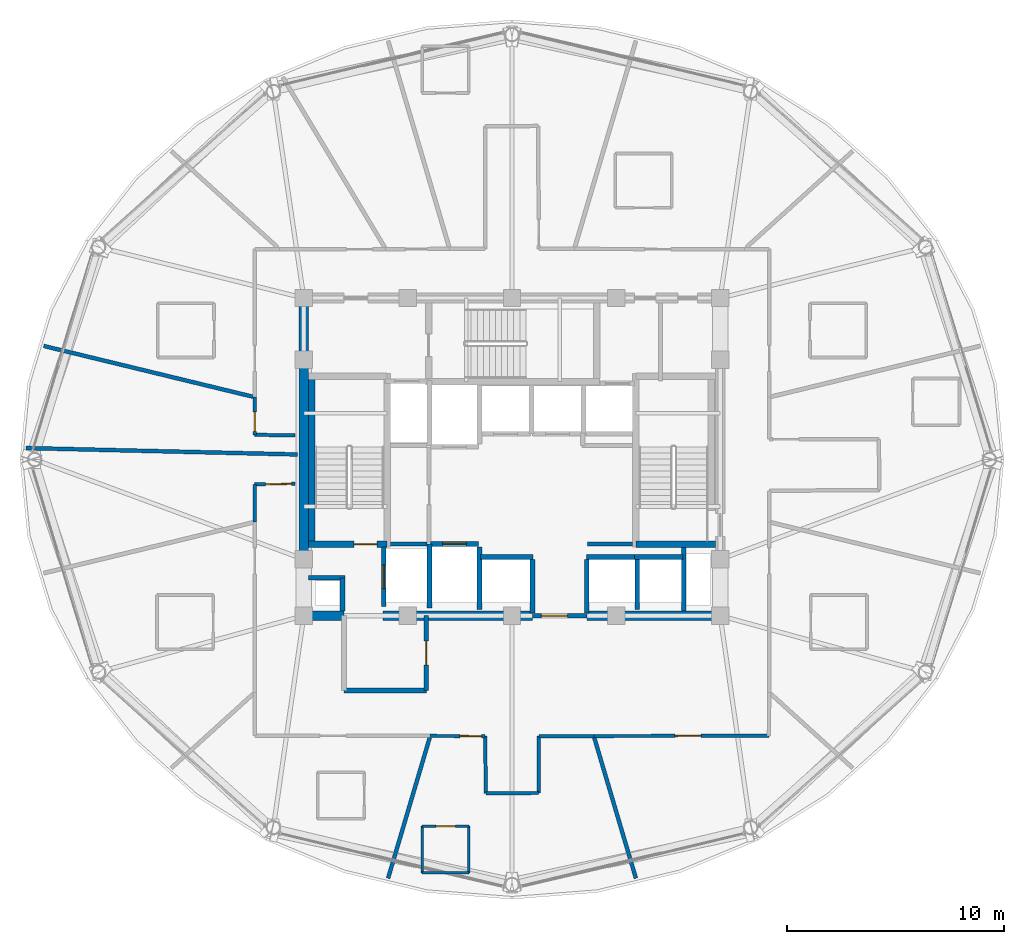
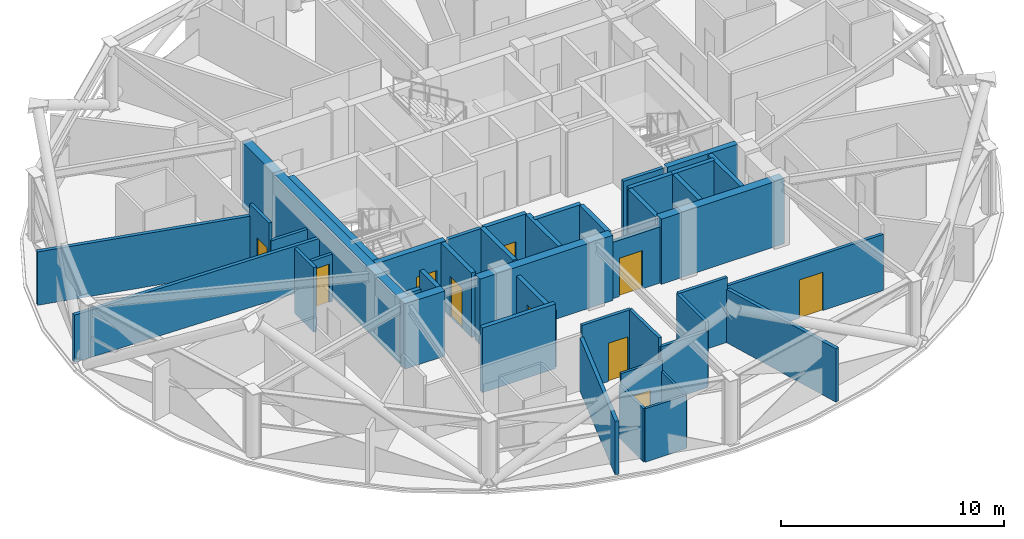
# One storey, part 22 of 29: 43 walls, 10 doors, 10 openings.
"""IFC4 building model written with IfcOpenShell, lengths in metres."""

from ifc_helpers import new_model, si_unit, direction, frame, frame_2d, origin, place, context, subcontext, project, spatial, rectangle, extrude, material, layer, layer_set, type_object, element, fill, save


model = new_model("IFC4")

# Units and contexts
model_context = context("Model", 3, precision=1e-05, world=origin(), true_north=direction((0.0, 1.0)))
body_context = subcontext(model_context, "Body", "Model", "MODEL_VIEW")
ifc_project = project(units=[si_unit("LENGTHUNIT", "METRE"), si_unit("AREAUNIT", "SQUARE_METRE"), si_unit("VOLUMEUNIT", "CUBIC_METRE"), si_unit("PLANEANGLEUNIT", "RADIAN"), si_unit("MASSUNIT", "GRAM", prefix="KILO")], contexts=[model_context])

# Site, building, storey
site_placement = place(None, origin())
site = spatial("IfcSite", under=ifc_project, at=site_placement, CompositionType="ELEMENT")
building_placement = place(site_placement, origin())
building = spatial("IfcBuilding", under=site, at=building_placement, Name="Vantalir Tower", CompositionType="ELEMENT")
storey_placement = place(building_placement, frame((0.0, 0.0, 227.39990234375)))
storey = spatial("IfcBuildingStorey", under=building, at=storey_placement, Name="L57", CompositionType="ELEMENT", Elevation=227.39990234375)

# Wall
ifc_material_1 = material(Name="Moisture-resistant en-suite partition", Category="gypsum")
ifc_layer_1 = layer(ifc_material_1, 0.125)
ifc_layer_set_1 = layer_set([ifc_layer_1], Name="Moisture-resistant en-suite partition")
wall_type_1 = type_object("IfcWallType", Name="WL-BATH-125", PredefinedType="PARTITIONING", material=ifc_layer_set_1)
wall_1_placement = place(storey_placement, frame((27.360107421875, 5.943115234375, 0.0), z_axis=(0.0, 0.0, 1.0), x_axis=(1.0, 0.0, 0.0)))
element("IfcWall", 1, at=wall_1_placement, inside=storey, type_object=wall_type_1, Name="L57 En-suite 11 South Wall", PredefinedType="PARTITIONING", context=body_context, shape_type="SweptSolid", body=[
    extrude(rectangle(XDim=2.14990234375, YDim=0.125, at=frame_2d((1.074951171875, 0.0))), origin(), (0.0, 0.0, 1.0), 2.925048828125),
])

# Wall, opening, door
wall_2_placement = place(storey_placement, frame((27.360107421875, 8.093017578125, 0.0), z_axis=(0.0, 0.0, 1.0), x_axis=(1.0, 0.0, 0.0)))
wall_2 = element("IfcWall", 2, at=wall_2_placement, inside=storey, type_object=wall_type_1, Name="L57 En-suite 11 North Wall", PredefinedType="PARTITIONING", context=body_context, shape_type="SweptSolid", body=[
    extrude(rectangle(XDim=2.14990234375, YDim=0.125, at=frame_2d((1.074951171875, 0.0))), origin(), (0.0, 0.0, 1.0), 3.550048828125),
])
opening_1_placement = place(wall_2_placement, frame((0.625, 0.0, 0.0)))
opening_1 = element("IfcOpeningElement", 3, at=opening_1_placement, cuts=wall_2, Name="Opening D-WC", PredefinedType="OPENING", context=body_context, shape_type="SweptSolid", body=[
    extrude(rectangle(XDim=0.89990234375, YDim=2.10009765625, at=frame_2d((0.449951171875, 1.050048828125))), frame((0.0, 0.072509765625, 0.0), z_axis=(0.0, -1.0, 0.0), x_axis=(1.0, 0.0, 0.0)), (0.0, 0.0, 1.0), 0.14501953125),
])
ifc_material_2 = material(Name="Moisture-resistant hardwood door", Category="wood")
door_type_1 = type_object("IfcDoorType", Name="DR-ENSUITE-900", OperationType="NOTDEFINED", PredefinedType="DOOR", material=ifc_material_2)
door_1_placement = place(opening_1_placement, frame((0.89990234375, 0.0, 0.0), z_axis=(0.0, 0.0, 1.0), x_axis=(-1.0, 0.0, 0.0)))
door_1 = element("IfcDoor", 4, at=door_1_placement, inside=storey, type_object=door_type_1, Name="L57 En-suite 11 Door", OperationType="SINGLE_SWING_LEFT", OverallHeight=2.10009765625, OverallWidth=0.89990234375, PredefinedType="DOOR", context=body_context, shape_type="SweptSolid", body=[
    extrude(rectangle(XDim=0.89990234375, YDim=2.10009765625, at=frame_2d((0.449951171875, 1.050048828125))), frame((0.0, 0.02490234375, 0.0), z_axis=(0.0, -1.0, 0.0), x_axis=(1.0, 0.0, 0.0)), (0.0, 0.0, 1.0), 0.050048828125),
])
fill(opening_1, door_1)

# Walls
for number, where, z_axis, x_axis, name in (
    (5, (27.360107421875, 5.943115234375, 0.0), (0.0, 0.0, 1.0), (0.0, 1.0, 0.0), "L57 En-suite 11 West Wall"),
    (6, (29.510009765625, 5.943115234375, 0.0), (0.0, 0.0, 1.0), (0.0, 1.0, 0.0), "L57 En-suite 11 East Wall"),
):
    element("IfcWall", number, at=place(storey_placement, frame(where, z_axis=z_axis, x_axis=x_axis)), inside=storey, type_object=wall_type_1, Name=name, PredefinedType="PARTITIONING", context=body_context, shape_type="SweptSolid", body=[
        extrude(rectangle(XDim=2.14990234375, YDim=0.125, at=frame_2d((1.074951171875, 0.0))), origin(), (0.0, 0.0, 1.0), 2.925048828125),
    ])
ifc_material_3 = material(Name="Concrete C50/60", Category="concrete")
ifc_layer_2 = layer(ifc_material_3, 0.449951171875)
ifc_layer_set_2 = layer_set([ifc_layer_2], Name="Concrete C50/60")
wall_type_2 = type_object("IfcWallType", Name="WL-CORE-450", PredefinedType="SHEAR", material=ifc_layer_set_2)
wall_3_placement = place(storey_placement, frame((21.675048828125, 17.800048828125, 0.0), z_axis=(0.0, 0.0, 1.0), x_axis=(1.0, 0.0, 0.0)))
element("IfcWall", 7, at=wall_3_placement, inside=storey, type_object=wall_type_2, Name="L57 Core Shear Wall South-West", PredefinedType="SHEAR", context=body_context, shape_type="SweptSolid", body=[
    extrude(rectangle(XDim=2.074951171875, YDim=0.449951171875, at=frame_2d((1.03759765625, 0.0))), origin(), (0.0, 0.0, 1.0), 3.570068359375),
])
wall_4_placement = place(storey_placement, frame((25.550048828125, 17.800048828125, 0.0), z_axis=(0.0, 0.0, 1.0), x_axis=(1.0, 0.0, 0.0)))
element("IfcWall", 8, at=wall_4_placement, inside=storey, type_object=wall_type_2, Name="L57 Core Shear Wall South-Mid", PredefinedType="SHEAR", context=body_context, shape_type="SweptSolid", body=[
    extrude(rectangle(XDim=6.89990234375, YDim=0.449951171875, at=frame_2d((3.449951171875, 0.0))), origin(), (0.0, 0.0, 1.0), 3.570068359375),
])
wall_5_placement = place(storey_placement, frame((34.949951171875, 17.800048828125, 0.0), z_axis=(0.0, 0.0, 1.0), x_axis=(1.0, 0.0, 0.0)))
element("IfcWall", 9, at=wall_5_placement, inside=storey, type_object=wall_type_2, Name="L57 Core Shear Wall South-East", PredefinedType="SHEAR", context=body_context, shape_type="SweptSolid", body=[
    extrude(rectangle(XDim=6.375, YDim=0.449951171875, at=frame_2d((3.1875, 0.0))), origin(), (0.0, 0.0, 1.0), 3.570068359375),
])
wall_6_placement = place(storey_placement, frame((21.89990234375, 18.02490234375, 0.0), z_axis=(0.0, 0.0, 1.0), x_axis=(0.0, 1.0, 0.0)))
element("IfcWall", 10, at=wall_6_placement, inside=storey, type_object=wall_type_2, Name="L57 Core Shear Wall West", PredefinedType="SHEAR", context=body_context, shape_type="SweptSolid", body=[
    extrude(rectangle(XDim=14.2001953125, YDim=0.449951171875, at=frame_2d((7.10009765625, 0.0))), origin(), (0.0, 0.0, 1.0), 3.570068359375),
])
ifc_material_4 = material(Name="Fire-rated hotel corridor acoustic partition", Category="gypsum")
ifc_layer_3 = layer(ifc_material_4, 0.159912109375)
ifc_layer_set_3 = layer_set([ifc_layer_3], Name="Fire-rated hotel corridor acoustic partition")
wall_type_3 = type_object("IfcWallType", Name="WL-CORR-160", PredefinedType="PARTITIONING", material=ifc_layer_set_3)
wall_7_placement = place(storey_placement, frame((21.4951171875, 26.116943359375, 0.0), z_axis=(0.0, 0.0, 1.0), x_axis=(-0.999908537082, 0.013524698532, 0.0)))
element("IfcWall", 11, at=wall_7_placement, inside=storey, type_object=wall_type_3, Name="L57 Corridor Partition 01", PredefinedType="PARTITIONING", context=body_context, shape_type="SweptSolid", body=[
    extrude(rectangle(XDim=1.859375, YDim=0.159912109375, at=frame_2d((0.9296875, 0.0))), origin(), (0.0, 0.0, 1.0), 2.59521484375),
])

# Wall, opening, door
wall_8_placement = place(storey_placement, frame((19.635986328125, 26.14208984375, 0.0), z_axis=(0.0, 0.0, 1.0), x_axis=(0.000562587815, 0.999999841747, 0.0)))
wall_8 = element("IfcWall", 12, at=wall_8_placement, inside=storey, type_object=wall_type_3, Name="L57 Corridor Partition 02", PredefinedType="PARTITIONING", context=body_context, shape_type="SweptSolid", body=[
    extrude(rectangle(XDim=1.73583984375, YDim=0.159912109375, at=frame_2d((0.867919921875, 0.0))), origin(), (0.0, 0.0, 1.0), 3.550048828125),
])
opening_2_placement = place(wall_8_placement, frame((0.159912109375, 0.0, 0.0)))
opening_2 = element("IfcOpeningElement", 13, at=opening_2_placement, cuts=wall_8, Name="Opening D-WC", PredefinedType="OPENING", context=body_context, shape_type="SweptSolid", body=[
    extrude(rectangle(XDim=0.89990234375, YDim=2.10009765625, at=frame_2d((0.449951171875, 1.050048828125))), frame((0.0, 0.08984375, 0.0), z_axis=(0.0, -1.0, 0.0), x_axis=(1.0, 0.0, 0.0)), (0.0, 0.0, 1.0), 0.179931640625),
])
door_2_placement = place(opening_2_placement, origin())
door_2 = element("IfcDoor", 14, at=door_2_placement, inside=storey, type_object=door_type_1, Name="L57 Executive Business Study 07 Door", OperationType="SINGLE_SWING_LEFT", OverallHeight=2.10009765625, OverallWidth=0.89990234375, PredefinedType="DOOR", context=body_context, shape_type="SweptSolid", body=[
    extrude(rectangle(XDim=0.89990234375, YDim=2.10009765625, at=frame_2d((0.449951171875, 1.050048828125))), frame((0.0, 0.02490234375, 0.0), z_axis=(0.0, -1.0, 0.0), x_axis=(1.0, 0.0, 0.0)), (0.0, 0.0, 1.0), 0.050048828125),
])
fill(opening_2, door_2)

wall_9_placement = place(storey_placement, frame((43.35009765625, 12.259033203125, 0.0), z_axis=(0.0, 0.0, 1.0), x_axis=(-0.999999615917, -0.00087645034, 0.0)))
wall_9 = element("IfcWall", 15, at=wall_9_placement, inside=storey, type_object=wall_type_3, Name="L57 Corridor Partition 22", PredefinedType="PARTITIONING", context=body_context, shape_type="SweptSolid", body=[
    extrude(rectangle(XDim=8.078125, YDim=0.159912109375, at=frame_2d((4.0390625, 0.0))), origin(), (0.0, 0.0, 1.0), 3.0810546875),
])
opening_3_placement = place(wall_9_placement, frame((3.14111328125, 0.0, 0.0)))
opening_3 = element("IfcOpeningElement", 16, at=opening_3_placement, cuts=wall_9, Name="Opening D-STE", PredefinedType="OPENING", context=body_context, shape_type="SweptSolid", body=[
    extrude(rectangle(XDim=1.199951171875, YDim=2.10009765625, at=frame_2d((0.60009765625, 1.050048828125))), frame((0.0, 0.08984375, 0.0), z_axis=(0.0, -1.0, 0.0), x_axis=(1.0, 0.0, 0.0)), (0.0, 0.0, 1.0), 0.179931640625),
])
ifc_material_5 = material(Name="Solid-core teak veneer suite entrance door", Category="wood")
door_type_2 = type_object("IfcDoorType", Name="DR-SUITE-ENTRY-1200", OperationType="NOTDEFINED", PredefinedType="DOOR", material=ifc_material_5)
door_3_placement = place(opening_3_placement, origin())
door_3 = element("IfcDoor", 17, at=door_3_placement, inside=storey, type_object=door_type_2, Name="L57 Club Reading Lounge 12 Door", OperationType="SINGLE_SWING_RIGHT", OverallHeight=2.10009765625, OverallWidth=1.199951171875, PredefinedType="DOOR", context=body_context, shape_type="SweptSolid", body=[
    extrude(rectangle(XDim=1.199951171875, YDim=2.10009765625, at=frame_2d((0.60009765625, 1.050048828125))), frame((0.0, 0.02490234375, 0.0), z_axis=(0.0, -1.0, 0.0), x_axis=(1.0, 0.0, 0.0)), (0.0, 0.0, 1.0), 0.050048828125),
])
fill(opening_3, door_3)

# Walls
wall_10_placement = place(storey_placement, frame((35.27197265625, 12.251953125, 0.0), z_axis=(0.0, 0.0, 1.0), x_axis=(-0.999999702485, -0.000771381508, 0.0)))
element("IfcWall", 18, at=wall_10_placement, inside=storey, type_object=wall_type_3, Name="L57 Corridor Partition 23", PredefinedType="PARTITIONING", context=body_context, shape_type="SweptSolid", body=[
    extrude(rectangle(XDim=2.531982421875, YDim=0.159912109375, at=frame_2d((1.26611328125, 0.0))), origin(), (0.0, 0.0, 1.0), 3.550048828125),
])
wall_11_placement = place(storey_placement, frame((32.739990234375, 12.25, 0.0), z_axis=(0.0, 0.0, 1.0), x_axis=(-0.004558940342, -0.999989607977, 0.0)))
element("IfcWall", 19, at=wall_11_placement, inside=storey, type_object=wall_type_3, Name="L57 Corridor Partition 24", PredefinedType="PARTITIONING", context=body_context, shape_type="SweptSolid", body=[
    extrude(rectangle(XDim=2.6240234375, YDim=0.159912109375, at=frame_2d((1.31201171875, 0.0))), origin(), (0.0, 0.0, 1.0), 3.550048828125),
])
wall_12_placement = place(storey_placement, frame((32.72802734375, 9.6259765625, 0.0), z_axis=(0.0, 0.0, 1.0), x_axis=(-0.999987903459, -0.004918631527, 0.0)))
element("IfcWall", 20, at=wall_12_placement, inside=storey, type_object=wall_type_3, Name="L57 Corridor Partition 25", PredefinedType="PARTITIONING", context=body_context, shape_type="SweptSolid", body=[
    extrude(rectangle(XDim=2.43212890625, YDim=0.159912109375, at=frame_2d((1.216064453125, 0.0))), origin(), (0.0, 0.0, 1.0), 3.0810546875),
])
wall_13_placement = place(storey_placement, frame((30.2958984375, 9.614013671875, 0.0), z_axis=(0.0, 0.0, 1.0), x_axis=(-0.013613631337, 0.999907330227, 0.0)))
element("IfcWall", 21, at=wall_13_placement, inside=storey, type_object=wall_type_3, Name="L57 Corridor Partition 26", PredefinedType="PARTITIONING", context=body_context, shape_type="SweptSolid", body=[
    extrude(rectangle(XDim=2.63623046875, YDim=0.159912109375, at=frame_2d((1.318115234375, 0.0))), origin(), (0.0, 0.0, 1.0), 3.550048828125),
])

# Wall, opening, door
wall_14_placement = place(storey_placement, frame((30.260009765625, 12.25, 0.0), z_axis=(0.0, 0.0, 1.0), x_axis=(-0.999998140537, 0.001928450758, 0.0)))
wall_14 = element("IfcWall", 22, at=wall_14_placement, inside=storey, type_object=wall_type_3, Name="L57 Corridor Partition 27", PredefinedType="PARTITIONING", context=body_context, shape_type="SweptSolid", body=[
    extrude(rectangle(XDim=2.531982421875, YDim=0.159912109375, at=frame_2d((1.26611328125, 0.0))), origin(), (0.0, 0.0, 1.0), 3.550048828125),
])
opening_4_placement = place(wall_14_placement, frame((0.159912109375, 0.0, 0.0)))
opening_4 = element("IfcOpeningElement", 23, at=opening_4_placement, cuts=wall_14, Name="Opening D-GUEST", PredefinedType="OPENING", context=body_context, shape_type="SweptSolid", body=[
    extrude(rectangle(XDim=1.0, YDim=2.10009765625, at=frame_2d((0.5, 1.050048828125))), frame((0.0, 0.08984375, 0.0), z_axis=(0.0, -1.0, 0.0), x_axis=(1.0, 0.0, 0.0)), (0.0, 0.0, 1.0), 0.179931640625),
])
ifc_material_6 = material(Name="Solid-core teak veneer acoustic fire door", Category="wood")
door_type_3 = type_object("IfcDoorType", Name="DR-GUEST-ENTRY-1000", OperationType="NOTDEFINED", PredefinedType="DOOR", material=ifc_material_6)
door_4_placement = place(opening_4_placement, origin())
door_4 = element("IfcDoor", 24, at=door_4_placement, inside=storey, type_object=door_type_3, Name="L57 Twin Queen Hotel Room 11 Door", OperationType="SINGLE_SWING_LEFT", OverallHeight=2.10009765625, OverallWidth=1.0, PredefinedType="DOOR", context=body_context, shape_type="SweptSolid", body=[
    extrude(rectangle(XDim=1.0, YDim=2.10009765625, at=frame_2d((0.5, 1.050048828125))), frame((0.0, 0.02490234375, 0.0), z_axis=(0.0, -1.0, 0.0), x_axis=(1.0, 0.0, 0.0)), (0.0, 0.0, 1.0), 0.050048828125),
])
fill(opening_4, door_4)

# Wall
wall_15_placement = place(storey_placement, frame((19.635986328125, 22.12109375, 0.0), z_axis=(0.0, 0.0, 1.0), x_axis=(-0.000563538936, 0.999999841212, 0.0)))
element("IfcWall", 25, at=wall_15_placement, inside=storey, type_object=wall_type_3, Name="L57 Corridor Partition 31", PredefinedType="PARTITIONING", context=body_context, shape_type="SweptSolid", body=[
    extrude(rectangle(XDim=1.73291015625, YDim=0.159912109375, at=frame_2d((0.866455078125, 0.0))), origin(), (0.0, 0.0, 1.0), 3.550048828125),
])

# Wall, opening, door
wall_16_placement = place(storey_placement, frame((19.635009765625, 23.85400390625, 0.0), z_axis=(0.0, 0.0, 1.0), x_axis=(0.999886107392, 0.015092125259, 0.0)))
wall_16 = element("IfcWall", 26, at=wall_16_placement, inside=storey, type_object=wall_type_3, Name="L57 Corridor Partition 32", PredefinedType="PARTITIONING", context=body_context, shape_type="SweptSolid", body=[
    extrude(rectangle(XDim=1.8603515625, YDim=0.159912109375, at=frame_2d((0.93017578125, 0.0))), origin(), (0.0, 0.0, 1.0), 2.59521484375),
])
opening_5_placement = place(wall_16_placement, frame((0.5, 0.0, 0.0)))
opening_5 = element("IfcOpeningElement", 27, at=opening_5_placement, cuts=wall_16, Name="Opening D-STE", PredefinedType="OPENING", context=body_context, shape_type="SweptSolid", body=[
    extrude(rectangle(XDim=1.199951171875, YDim=2.10009765625, at=frame_2d((0.60009765625, 1.050048828125))), frame((0.0, 0.08984375, 0.0), z_axis=(0.0, -1.0, 0.0), x_axis=(1.0, 0.0, 0.0)), (0.0, 0.0, 1.0), 0.179931640625),
])
door_5_placement = place(opening_5_placement, origin())
door_5 = element("IfcDoor", 28, at=door_5_placement, inside=storey, type_object=door_type_2, Name="L57 Club Reading Lounge 08 Door", OperationType="SINGLE_SWING_RIGHT", OverallHeight=2.10009765625, OverallWidth=1.199951171875, PredefinedType="DOOR", context=body_context, shape_type="SweptSolid", body=[
    extrude(rectangle(XDim=1.199951171875, YDim=2.10009765625, at=frame_2d((0.60009765625, 1.050048828125))), frame((0.0, 0.02490234375, 0.0), z_axis=(0.0, -1.0, 0.0), x_axis=(1.0, 0.0, 0.0)), (0.0, 0.0, 1.0), 0.050048828125),
])
fill(opening_5, door_5)

# Walls
ifc_material_7 = material(Name="Concrete blockwork with fireboard lining", Category="masonry")
ifc_layer_4 = layer(ifc_material_7, 0.219970703125)
ifc_layer_set_4 = layer_set([ifc_layer_4], Name="Concrete blockwork with fireboard lining")
wall_type_4 = type_object("IfcWallType", Name="WL-FFL-220", PredefinedType="PARTITIONING", material=ifc_layer_set_4)
wall_17_placement = place(storey_placement, frame((30.0, 18.080078125, 0.0), z_axis=(0.0, 0.0, 1.0), x_axis=(0.0, 1.0, 0.0)))
element("IfcWall", 29, at=wall_17_placement, inside=storey, type_object=wall_type_4, Name="L57 Service Lift SV1 East Shaft Wall", PredefinedType="PARTITIONING", context=body_context, shape_type="SweptSolid", body=[
    extrude(rectangle(XDim=2.89990234375, YDim=0.219970703125, at=frame_2d((1.449951171875, 0.0))), origin(), (0.0, 0.0, 1.0), 3.545166015625),
])
for number, where, z_axis, x_axis, name in (
    (30, (32.449951171875, 17.919921875, 0.0), (0.0, 0.0, 1.0), (0.0, 1.0, 0.0), "L57 Shuttle Lift PL-X1 East Shaft Cheek"),
    (31, (34.949951171875, 17.919921875, 0.0), (0.0, 0.0, 1.0), (0.0, 1.0, 0.0), "L57 Shuttle Lift PL-X3 West Shaft Cheek"),
):
    element("IfcWall", number, at=place(storey_placement, frame(where, z_axis=z_axis, x_axis=x_axis)), inside=storey, type_object=wall_type_4, Name=name, PredefinedType="PARTITIONING", context=body_context, shape_type="SweptSolid", body=[
        extrude(rectangle(XDim=2.469970703125, YDim=0.219970703125, at=frame_2d((1.23486328125, 0.0))), origin(), (0.0, 0.0, 1.0), 3.545166015625),
    ])
wall_18_placement = place(storey_placement, frame((37.27490234375, 18.080078125, 0.0), z_axis=(0.0, 0.0, 1.0), x_axis=(0.0, 1.0, 0.0)))
element("IfcWall", 32, at=wall_18_placement, inside=storey, type_object=wall_type_4, Name="L57 Shuttle Lift PL-X2/X3 Shaft Divider", PredefinedType="PARTITIONING", context=body_context, shape_type="SweptSolid", body=[
    extrude(rectangle(XDim=2.309814453125, YDim=0.219970703125, at=frame_2d((1.15478515625, 0.0))), origin(), (0.0, 0.0, 1.0), 3.545166015625),
])

# Wall, opening, door
wall_19_placement = place(storey_placement, frame((32.449951171875, 17.800048828125, 0.0), z_axis=(0.0, 0.0, 1.0), x_axis=(1.0, 0.0, 0.0)))
wall_19 = element("IfcWall", 33, at=wall_19_placement, inside=storey, type_object=wall_type_4, Name="L57 Passenger Lift Lobby South Wall", PredefinedType="PARTITIONING", context=body_context, shape_type="SweptSolid", body=[
    extrude(rectangle(XDim=2.5, YDim=0.219970703125, at=frame_2d((1.25, 0.0))), origin(), (0.0, 0.0, 1.0), 3.0810546875),
])
opening_6_placement = place(wall_19_placement, frame((0.39990234375, 0.0, 0.0)))
opening_6 = element("IfcOpeningElement", 34, at=opening_6_placement, cuts=wall_19, Name="Opening D-STE", PredefinedType="OPENING", context=body_context, shape_type="SweptSolid", body=[
    extrude(rectangle(XDim=1.199951171875, YDim=2.10009765625, at=frame_2d((0.60009765625, 1.050048828125))), frame((0.0, 0.119873046875, 0.0), z_axis=(0.0, -1.0, 0.0), x_axis=(1.0, 0.0, 0.0)), (0.0, 0.0, 1.0), 0.239990234375),
])
door_6_placement = place(opening_6_placement, origin())
door_6 = element("IfcDoor", 35, at=door_6_placement, inside=storey, type_object=door_type_2, Name="L57 Passenger Lift Lobby Concourse Door", OperationType="SINGLE_SWING_RIGHT", OverallHeight=2.10009765625, OverallWidth=1.199951171875, PredefinedType="DOOR", context=body_context, shape_type="SweptSolid", body=[
    extrude(rectangle(XDim=1.199951171875, YDim=2.10009765625, at=frame_2d((0.60009765625, 1.050048828125))), frame((0.0, 0.02490234375, 0.0), z_axis=(0.0, -1.0, 0.0), x_axis=(1.0, 0.0, 0.0)), (0.0, 0.0, 1.0), 0.050048828125),
])
fill(opening_6, door_6)

# Walls
wall_20_placement = place(storey_placement, frame((23.679931640625, 18.02490234375, 0.0), z_axis=(0.0, 0.0, 1.0), x_axis=(0.0, 1.0, 0.0)))
element("IfcWall", 36, at=wall_20_placement, inside=storey, type_object=wall_type_4, Name="L57 West MEP Riser Wall E", PredefinedType="PARTITIONING", context=body_context, shape_type="SweptSolid", body=[
    extrude(rectangle(XDim=1.525146484375, YDim=0.219970703125, at=frame_2d((0.7626953125, 0.0))), origin(), (0.0, 0.0, 1.0), 3.550048828125),
])
wall_21_placement = place(storey_placement, frame((22.125, 19.550048828125, 0.0), z_axis=(0.0, 0.0, 1.0), x_axis=(1.0, 0.0, 0.0)))
element("IfcWall", 37, at=wall_21_placement, inside=storey, type_object=wall_type_4, Name="L57 West MEP Riser Wall N", PredefinedType="PARTITIONING", context=body_context, shape_type="SweptSolid", body=[
    extrude(rectangle(XDim=1.6650390625, YDim=0.219970703125, at=frame_2d((0.83251953125, 0.0))), origin(), (0.0, 0.0, 1.0), 2.59521484375),
])
wall_22_placement = place(storey_placement, frame((39.419921875, 18.02490234375, 0.0), z_axis=(0.0, 0.0, 1.0), x_axis=(0.0, 1.0, 0.0)))
element("IfcWall", 38, at=wall_22_placement, inside=storey, type_object=wall_type_4, Name="L57 East MEP Riser Wall W", PredefinedType="PARTITIONING", context=body_context, shape_type="SweptSolid", body=[
    extrude(rectangle(XDim=2.925048828125, YDim=0.219970703125, at=frame_2d((1.46240234375, 0.0))), origin(), (0.0, 0.0, 1.0), 3.550048828125),
])

# Wall, opening, door
wall_23_placement = place(storey_placement, frame((25.590087890625, 18.219970703125, 0.0), z_axis=(0.0, 0.0, 1.0), x_axis=(0.0, 1.0, 0.0)))
wall_23 = element("IfcWall", 39, at=wall_23_placement, inside=storey, type_object=wall_type_4, Name="L57 Lift FL1 Shaft Front Wall", PredefinedType="PARTITIONING", context=body_context, shape_type="SweptSolid", body=[
    extrude(rectangle(XDim=2.760009765625, YDim=0.219970703125, at=frame_2d((1.3798828125, 0.0))), origin(), (0.0, 0.0, 1.0), 3.550048828125),
])
opening_7_placement = place(wall_23_placement, frame((0.830078125, 0.0, 0.0)))
opening_7 = element("IfcOpeningElement", 40, at=opening_7_placement, cuts=wall_23, Name="Opening LD-FL1", PredefinedType="OPENING", context=body_context, shape_type="SweptSolid", body=[
    extrude(rectangle(XDim=1.10009765625, YDim=2.199951171875, at=frame_2d((0.550048828125, 1.10009765625))), frame((0.0, 0.119873046875, 0.0), z_axis=(0.0, -1.0, 0.0), x_axis=(1.0, 0.0, 0.0)), (0.0, 0.0, 1.0), 0.239990234375),
])
ifc_material_8 = material(Name="Brushed stainless-steel sliding lift landing door", Category="steel")
door_type_4 = type_object("IfcDoorType", Name="DR-LIFT-LANDING-1100", OperationType="DOUBLE_DOOR_SLIDING", PredefinedType="DOOR", material=ifc_material_8)
door_7_placement = place(opening_7_placement, origin())
door_7 = element("IfcDoor", 41, at=door_7_placement, inside=storey, type_object=door_type_4, Name="L57 Lift Landing Door FL1", OperationType="DOUBLE_DOOR_SLIDING", OverallHeight=2.199951171875, OverallWidth=1.10009765625, PredefinedType="DOOR", context=body_context, shape_type="SweptSolid", body=[
    extrude(rectangle(XDim=1.10009765625, YDim=2.199951171875, at=frame_2d((0.550048828125, 1.10009765625))), frame((0.0, 0.02490234375, 0.0), z_axis=(0.0, -1.0, 0.0), x_axis=(1.0, 0.0, 0.0)), (0.0, 0.0, 1.0), 0.050048828125),
])
fill(opening_7, door_7)

wall_24_placement = place(storey_placement, frame((27.739990234375, 21.110107421875, 0.0), z_axis=(0.0, 0.0, 1.0), x_axis=(1.0, 0.0, 0.0)))
wall_24 = element("IfcWall", 42, at=wall_24_placement, inside=storey, type_object=wall_type_4, Name="L57 Lift SV1 Shaft Front Wall", PredefinedType="PARTITIONING", context=body_context, shape_type="SweptSolid", body=[
    extrude(rectangle(XDim=2.219970703125, YDim=0.219970703125, at=frame_2d((1.10986328125, 0.0))), origin(), (0.0, 0.0, 1.0), 3.550048828125),
])
opening_8_placement = place(wall_24_placement, frame((0.56005859375, 0.0, 0.0)))
opening_8 = element("IfcOpeningElement", 43, at=opening_8_placement, cuts=wall_24, Name="Opening LD-SV1", PredefinedType="OPENING", context=body_context, shape_type="SweptSolid", body=[
    extrude(rectangle(XDim=1.10009765625, YDim=2.199951171875, at=frame_2d((0.550048828125, 1.10009765625))), frame((0.0, 0.119873046875, 0.0), z_axis=(0.0, -1.0, 0.0), x_axis=(1.0, 0.0, 0.0)), (0.0, 0.0, 1.0), 0.239990234375),
])
door_8_placement = place(opening_8_placement, origin())
door_8 = element("IfcDoor", 44, at=door_8_placement, inside=storey, type_object=door_type_4, Name="L57 Lift Landing Door SV1", OperationType="DOUBLE_DOOR_SLIDING", OverallHeight=2.199951171875, OverallWidth=1.10009765625, PredefinedType="DOOR", context=body_context, shape_type="SweptSolid", body=[
    extrude(rectangle(XDim=1.10009765625, YDim=2.199951171875, at=frame_2d((0.550048828125, 1.10009765625))), frame((0.0, 0.02490234375, 0.0), z_axis=(0.0, -1.0, 0.0), x_axis=(1.0, 0.0, 0.0)), (0.0, 0.0, 1.0), 0.050048828125),
])
fill(opening_8, door_8)

# Walls
wall_25_placement = place(storey_placement, frame((30.0400390625, 20.510009765625, 0.0), z_axis=(0.0, 0.0, 1.0), x_axis=(1.0, 0.0, 0.0)))
element("IfcWall", 45, at=wall_25_placement, inside=storey, type_object=wall_type_4, Name="L57 Lift PL-X1 Shaft Front Wall", PredefinedType="PARTITIONING", context=body_context, shape_type="SweptSolid", body=[
    extrude(rectangle(XDim=2.419921875, YDim=0.219970703125, at=frame_2d((1.2099609375, 0.0))), origin(), (0.0, 0.0, 1.0), 3.550048828125),
])
for number, where, z_axis, x_axis, name in (
    (46, (37.139892578125, 20.510009765625, 0.0), (0.0, 0.0, 1.0), (1.0, 0.0, 0.0), "L57 Lift PL-X2 Shaft Rear Wall"),
    (47, (34.93994140625, 20.510009765625, 0.0), (0.0, 0.0, 1.0), (1.0, 0.0, 0.0), "L57 Lift PL-X3 Shaft Front Wall"),
):
    element("IfcWall", number, at=place(storey_placement, frame(where, z_axis=z_axis, x_axis=x_axis)), inside=storey, type_object=wall_type_4, Name=name, PredefinedType="PARTITIONING", context=body_context, shape_type="SweptSolid", body=[
        extrude(rectangle(XDim=2.239990234375, YDim=0.219970703125, at=frame_2d((1.1201171875, 0.0))), origin(), (0.0, 0.0, 1.0), 3.550048828125),
    ])
wall_26_placement = place(storey_placement, frame((27.699951171875, 18.14990234375, 0.0), z_axis=(0.0, 0.0, 1.0), x_axis=(0.0, 1.0, 0.0)))
element("IfcWall", 48, at=wall_26_placement, inside=storey, type_object=wall_type_4, Name="L57 Fire Lift FL1 Dividing Wall", PredefinedType="PARTITIONING", context=body_context, shape_type="SweptSolid", body=[
    extrude(rectangle(XDim=2.9501953125, YDim=0.219970703125, at=frame_2d((1.47509765625, 0.0))), origin(), (0.0, 0.0, 1.0), 3.550048828125),
])
wall_27_placement = place(storey_placement, frame((23.75, 14.35009765625, 0.0), z_axis=(0.0, 0.0, 1.0), x_axis=(1.0, 0.0, 0.0)))
element("IfcWall", 49, at=wall_27_placement, inside=storey, type_object=wall_type_4, Name="L57 Firefighting Lobby West South Wall", PredefinedType="PARTITIONING", context=body_context, shape_type="SweptSolid", body=[
    extrude(rectangle(XDim=3.800048828125, YDim=0.219970703125, at=frame_2d((1.89990234375, 0.0))), origin(), (0.0, 0.0, 1.0), 3.550048828125),
])

# Wall, opening, door
wall_28_placement = place(storey_placement, frame((27.550048828125, 14.35009765625, 0.0), z_axis=(0.0, 0.0, 1.0), x_axis=(0.0, 1.0, 0.0)))
wall_28 = element("IfcWall", 50, at=wall_28_placement, inside=storey, type_object=wall_type_4, Name="L57 Firefighting Lobby West East Wall", PredefinedType="PARTITIONING", context=body_context, shape_type="SweptSolid", body=[
    extrude(rectangle(XDim=3.449951171875, YDim=0.219970703125, at=frame_2d((1.72509765625, 0.0))), origin(), (0.0, 0.0, 1.0), 3.0810546875),
])
opening_9_placement = place(wall_28_placement, frame((1.175048828125, 0.0, 0.0)))
opening_9 = element("IfcOpeningElement", 51, at=opening_9_placement, cuts=wall_28, Name="Opening D-FFL", PredefinedType="OPENING", context=body_context, shape_type="SweptSolid", body=[
    extrude(rectangle(XDim=1.10009765625, YDim=2.10009765625, at=frame_2d((0.550048828125, 1.050048828125))), frame((0.0, 0.119873046875, 0.0), z_axis=(0.0, -1.0, 0.0), x_axis=(1.0, 0.0, 0.0)), (0.0, 0.0, 1.0), 0.239990234375),
])
ifc_material_9 = material(Name="Fire-rated acoustic steel door", Category="steel")
door_type_5 = type_object("IfcDoorType", Name="DR-FIRE-LOBBY-1100", OperationType="NOTDEFINED", PredefinedType="DOOR", material=ifc_material_9)
door_9_placement = place(opening_9_placement, origin())
door_9 = element("IfcDoor", 52, at=door_9_placement, inside=storey, type_object=door_type_5, Name="L57 Firefighting Lobby West Access Door", OperationType="SINGLE_SWING_RIGHT", OverallHeight=2.10009765625, OverallWidth=1.10009765625, PredefinedType="DOOR", context=body_context, shape_type="SweptSolid", body=[
    extrude(rectangle(XDim=1.10009765625, YDim=2.10009765625, at=frame_2d((0.550048828125, 1.050048828125))), frame((0.0, 0.02490234375, 0.0), z_axis=(0.0, -1.0, 0.0), x_axis=(1.0, 0.0, 0.0)), (0.0, 0.0, 1.0), 0.050048828125),
])
fill(opening_9, door_9)

# Walls
ifc_material_10 = material(Name="Twin-stud acoustic fire-rated gypsum partition", Category="gypsum")
ifc_layer_5 = layer(ifc_material_10, 0.179931640625)
ifc_layer_set_5 = layer_set([ifc_layer_5], Name="Twin-stud acoustic fire-rated gypsum partition")
wall_type_5 = type_object("IfcWallType", Name="WL-GUEST-180", PredefinedType="PARTITIONING", material=ifc_layer_set_5)
wall_29_placement = place(storey_placement, frame((25.889892578125, 21.10009765625, 0.0), z_axis=(0.0, 0.0, 1.0), x_axis=(1.0, 0.0, 0.0)))
element("IfcWall", 53, at=wall_29_placement, inside=storey, type_object=wall_type_5, Name="L57 Freed West Core South Wall", PredefinedType="PARTITIONING", context=body_context, shape_type="SweptSolid", body=[
    extrude(rectangle(XDim=1.7001953125, YDim=0.179931640625, at=frame_2d((0.85009765625, 0.0))), origin(), (0.0, 0.0, 1.0), 3.550048828125),
])
wall_30_placement = place(storey_placement, frame((34.97998046875, 21.10009765625, 0.0), z_axis=(0.0, 0.0, 1.0), x_axis=(1.0, 0.0, 0.0)))
element("IfcWall", 54, at=wall_30_placement, inside=storey, type_object=wall_type_5, Name="L57 Freed East Core South Wall", PredefinedType="PARTITIONING", context=body_context, shape_type="SweptSolid", body=[
    extrude(rectangle(XDim=2.080078125, YDim=0.179931640625, at=frame_2d((1.0400390625, 0.0))), origin(), (0.0, 0.0, 1.0), 3.550048828125),
])
wall_31_placement = place(storey_placement, frame((19.56005859375, 27.89697265625, 0.0), z_axis=(0.0, 0.0, 1.0), x_axis=(-0.97180626126, 0.235780810447, 0.0)))
element("IfcWall", 55, at=wall_31_placement, inside=storey, type_object=wall_type_5, Name="L57 Radial Suite Partition 07", PredefinedType="PARTITIONING", context=body_context, shape_type="SweptSolid", body=[
    extrude(rectangle(XDim=9.93310546875, YDim=0.179931640625, at=frame_2d((4.966552734375, 0.0))), origin(), (0.0, 0.0, 1.0), 2.925048828125),
])
wall_32_placement = place(storey_placement, frame((21.60009765625, 25.235107421875, 0.0), z_axis=(0.0, 0.0, 1.0), x_axis=(-0.999720386672, 0.023646320498, 0.0)))
element("IfcWall", 56, at=wall_32_placement, inside=storey, type_object=wall_type_5, Name="L57 Radial Suite Partition 08", PredefinedType="PARTITIONING", context=body_context, shape_type="SweptSolid", body=[
    extrude(rectangle(XDim=12.513427734375, YDim=0.179931640625, at=frame_2d((6.2568359375, 0.0))), origin(), (0.0, 0.0, 1.0), 2.59521484375),
])
for number, where, z_axis, x_axis, name in (
    (57, (27.705078125, 12.175048828125, 0.0), (0.0, 0.0, 1.0), (-0.283851041294, -0.958868388444, 0.0), "L57 Radial Suite Partition 11"),
    (58, (35.294921875, 12.175048828125, 0.0), (0.0, 0.0, 1.0), (0.283851041294, -0.958868388444, 0.0), "L57 Radial Suite Partition 12"),
):
    element("IfcWall", number, at=place(storey_placement, frame(where, z_axis=z_axis, x_axis=x_axis)), inside=storey, type_object=wall_type_5, Name=name, PredefinedType="PARTITIONING", context=body_context, shape_type="SweptSolid", body=[
        extrude(rectangle(XDim=6.76123046875, YDim=0.179931640625, at=frame_2d((3.380615234375, 0.0))), origin(), (0.0, 0.0, 1.0), 2.925048828125),
    ])

# Wall, opening, door
ifc_layer_6 = layer(ifc_material_3, 0.300048828125)
ifc_layer_set_6 = layer_set([ifc_layer_6], Name="Concrete C50/60")
wall_type_6 = type_object("IfcWallType", Name="WL-STAIR-300", PredefinedType="SHEAR", material=ifc_layer_set_6)
wall_33_placement = place(storey_placement, frame((22.125, 21.10009765625, 0.0), z_axis=(0.0, 0.0, 1.0), x_axis=(1.0, 0.0, 0.0)))
wall_33 = element("IfcWall", 59, at=wall_33_placement, inside=storey, type_object=wall_type_6, Name="L57 Stair ST1 South Wall", PredefinedType="SHEAR", context=body_context, shape_type="SweptSolid", body=[
    extrude(rectangle(XDim=3.614990234375, YDim=0.300048828125, at=frame_2d((1.8076171875, 0.0))), origin(), (0.0, 0.0, 1.0), 3.570068359375),
])
opening_10_placement = place(wall_33_placement, frame((2.094970703125, 0.0, 0.0)))
opening_10 = element("IfcOpeningElement", 60, at=opening_10_placement, cuts=wall_33, Name="Opening D-ST", PredefinedType="OPENING", context=body_context, shape_type="SweptSolid", body=[
    extrude(rectangle(XDim=1.050048828125, YDim=2.10009765625, at=frame_2d((0.52490234375, 1.050048828125))), frame((0.0, 0.159912109375, 0.0), z_axis=(0.0, -1.0, 0.0), x_axis=(1.0, 0.0, 0.0)), (0.0, 0.0, 1.0), 0.320068359375),
])
ifc_material_11 = material(Name="Fire-rated steel door leaf", Category="steel")
door_type_6 = type_object("IfcDoorType", Name="DR-FIRE-STAIR-1050", OperationType="NOTDEFINED", PredefinedType="DOOR", material=ifc_material_11)
door_10_placement = place(opening_10_placement, origin())
door_10 = element("IfcDoor", 61, at=door_10_placement, inside=storey, type_object=door_type_6, Name="L57 Exit Stair ST1 Fire Door", OperationType="SINGLE_SWING_RIGHT", OverallHeight=2.10009765625, OverallWidth=1.050048828125, PredefinedType="DOOR", context=body_context, shape_type="SweptSolid", body=[
    extrude(rectangle(XDim=1.050048828125, YDim=2.10009765625, at=frame_2d((0.52490234375, 1.050048828125))), frame((0.0, 0.02490234375, 0.0), z_axis=(0.0, -1.0, 0.0), x_axis=(1.0, 0.0, 0.0)), (0.0, 0.0, 1.0), 0.050048828125),
])
fill(opening_10, door_10)

# Walls
wall_34_placement = place(storey_placement, frame((22.260009765625, 21.10009765625, 0.0), z_axis=(0.0, 0.0, 1.0), x_axis=(0.0, 1.0, 0.0)))
element("IfcWall", 62, at=wall_34_placement, inside=storey, type_object=wall_type_6, Name="L57 Stair ST1 West Liner Wall", PredefinedType="SHEAR", context=body_context, shape_type="SweptSolid", body=[
    extrude(rectangle(XDim=7.75, YDim=0.300048828125, at=frame_2d((3.875, 0.0))), origin(), (0.0, 0.0, 1.0), 3.570068359375),
])
wall_35_placement = place(storey_placement, frame((37.2099609375, 21.10009765625, 0.0), z_axis=(0.0, 0.0, 1.0), x_axis=(1.0, 0.0, 0.0)))
element("IfcWall", 63, at=wall_35_placement, inside=storey, type_object=wall_type_6, Name="L57 Stair ST2 South Wall", PredefinedType="SHEAR", context=body_context, shape_type="SweptSolid", body=[
    extrude(rectangle(XDim=3.6650390625, YDim=0.300048828125, at=frame_2d((1.83251953125, 0.0))), origin(), (0.0, 0.0, 1.0), 3.570068359375),
])

save(model, "model.ifc")
